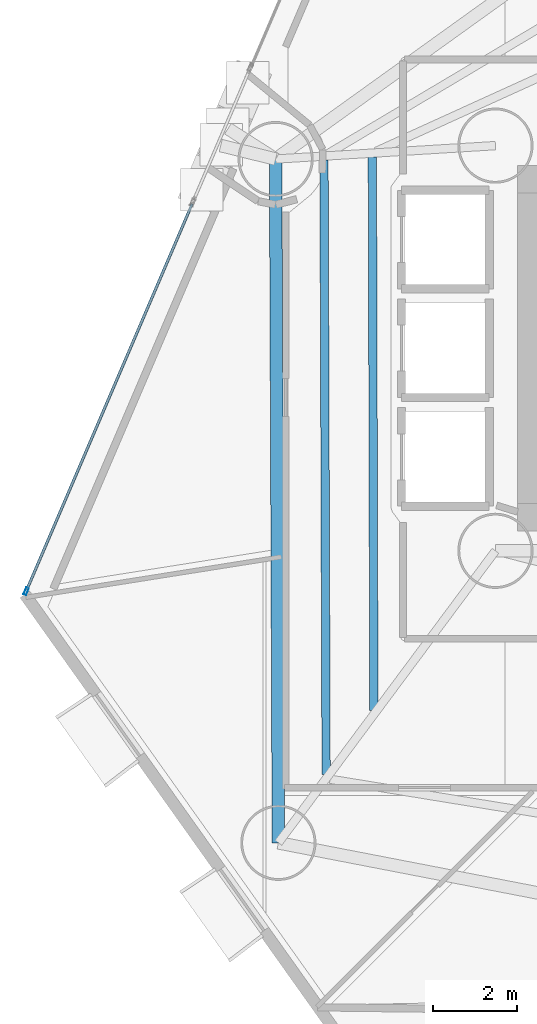
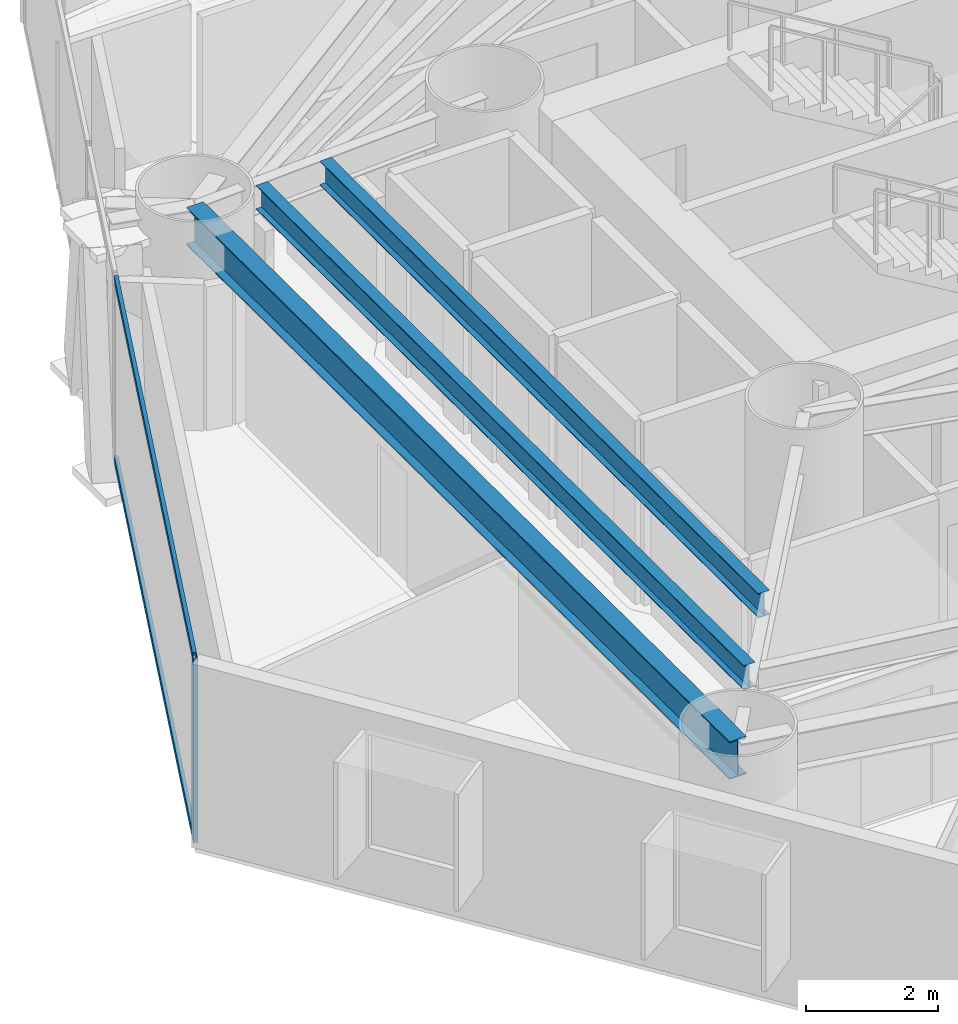
# One storey, part 4 of 22: 3 beams, 3 members, 1 element without a shape of its own.
"""IFC4 building model written with IfcOpenShell, lengths in metres."""

import ifcopenshell
import ifcopenshell.guid

model = None  # the IFC model being written
_history = None  # IfcOwnerHistory: only IFC2X3 demands one
_inside = {}  # id of a spatial element -> (the spatial element, [elements in it])
_under = {}  # id of a project, library or spatial element -> (it, [spatial elements below it])
_declared = {}  # id of a project -> (the project, [libraries it declares])
_typed = {}  # id of a type object -> (the type object, [elements of that type])
_made_of = {}  # id of a material, layer set ... -> (it, [elements and type objects made of it])


def new_model(schema):
    """Start an empty IFC model of exactly this schema.

    Asked for "IFC4X3", IfcOpenShell would pick the latest addendum, in which some entities
    have other attributes; the version numbers below select the first issue.
    IFC2X3 requires an IfcOwnerHistory on every rooted entity: one is made here for all.
    """
    global model, _history
    if schema == "IFC4X3":
        model = ifcopenshell.file(schema_version=(4, 3, 0, 0))
    else:
        model = ifcopenshell.file(schema=schema)
    _inside.clear()
    _under.clear()
    _declared.clear()
    _typed.clear()
    _made_of.clear()
    _history = None
    if model.schema == "IFC2X3":
        org = make("IfcOrganization", Name="unknown")
        user = make(
            "IfcPersonAndOrganization",
            ThePerson=make("IfcPerson", FamilyName="unknown"),
            TheOrganization=org,
        )
        app = make(
            "IfcApplication",
            ApplicationDeveloper=org,
            Version="unknown",
            ApplicationFullName="unknown",
            ApplicationIdentifier="unknown",
        )
        _history = make(
            "IfcOwnerHistory",
            OwningUser=user,
            OwningApplication=app,
            ChangeAction="ADDED",
            CreationDate=0,
        )
    return model


def make(cls, **values):
    """One entity of the class cls with the attributes given. An attribute that is None is left unset."""
    return model.create_entity(
        cls, **{name: value for name, value in values.items() if value is not None}
    )


def rooted(cls, **values):
    """An entity with a GlobalId (a new one), such as an element, a storey or a relation."""
    return make(cls, GlobalId=ifcopenshell.guid.new(), OwnerHistory=_history, **values)


def si_unit(unit_type, name, prefix=None):
    """IfcSIUnit, for example si_unit("LENGTHUNIT", "METRE", prefix="MILLI")."""
    return make("IfcSIUnit", UnitType=unit_type, Prefix=prefix, Name=name)


def assignment(units):
    """IfcUnitAssignment: the units of a project."""
    return None if units is None else make("IfcUnitAssignment", Units=units)


def point(xyz):
    """IfcCartesianPoint."""
    return None if xyz is None else make("IfcCartesianPoint", Coordinates=xyz)


def direction(xyz):
    """IfcDirection."""
    return None if xyz is None else make("IfcDirection", DirectionRatios=xyz)


def frame(location, z_axis=None, x_axis=None):
    """IfcAxis2Placement3D, a coordinate frame: its origin and axes. An axis left out is left unset."""
    return make(
        "IfcAxis2Placement3D",
        Location=point(location),
        Axis=direction(z_axis),
        RefDirection=direction(x_axis),
    )


def frame_2d(location, x_axis=None):
    """IfcAxis2Placement2D, a coordinate frame in the plane: its origin and x axis."""
    return make(
        "IfcAxis2Placement2D", Location=point(location), RefDirection=direction(x_axis)
    )


def origin():
    """The frame at (0, 0, 0) with its axes left unset."""
    return frame((0.0, 0.0, 0.0))


def origin_2d():
    """The frame at (0, 0) in the plane with its x axis left unset."""
    return frame_2d((0.0, 0.0))


def place(relative_to, where):
    """IfcLocalPlacement: puts the frame where relative to a parent placement (None: the world)."""
    return make(
        "IfcLocalPlacement", PlacementRelTo=relative_to, RelativePlacement=where
    )


def context(
    kind, dimensions, precision=None, world=None, true_north=None, identifier=None
):
    """IfcGeometricRepresentationContext, for example the 3D "Model" context."""
    return make(
        "IfcGeometricRepresentationContext",
        ContextIdentifier=identifier,
        ContextType=kind,
        CoordinateSpaceDimension=dimensions,
        Precision=precision,
        WorldCoordinateSystem=world,
        TrueNorth=true_north,
    )


def subcontext(parent, identifier, kind, view, scale=None):
    """IfcGeometricRepresentationSubContext, for example "Body" below "Model"."""
    return make(
        "IfcGeometricRepresentationSubContext",
        ContextIdentifier=identifier,
        ContextType=kind,
        ParentContext=parent,
        TargetScale=scale,
        TargetView=view,
    )


def project(units=None, contexts=None):
    """IfcProject with its units and contexts."""
    return rooted(
        "IfcProject",
        Name="project",
        RepresentationContexts=contexts,
        UnitsInContext=assignment(units),
    )


def spatial(cls, under=None, at=None, **own):
    """A site, building, storey or space (cls), placed at a placement, below another one or the project."""
    s = rooted(cls, ObjectPlacement=at, **own)
    if under is not None:
        _under.setdefault(under.id(), (under, []))[1].append(s)
    return s


def profile(cls, at=None, kind="AREA", **sizes):
    """A parametric profile (cls). Its sizes go by their IFC names, for example OverallWidth=200.0."""
    return make(cls, ProfileType=kind, Position=at, **sizes)


def hollow_rectangle(**sizes):
    """IfcRectangleHollowProfileDef."""
    return profile("IfcRectangleHollowProfileDef", **sizes)


def i_section(**sizes):
    """IfcIShapeProfileDef."""
    return profile("IfcIShapeProfileDef", **sizes)


def extrude(swept, where, along, depth):
    """IfcExtrudedAreaSolid: the profile swept, set in the frame where, extruded along a direction by depth."""
    return make(
        "IfcExtrudedAreaSolid",
        SweptArea=swept,
        Position=where,
        ExtrudedDirection=direction(along),
        Depth=depth,
    )


def shape(context_of_items, identifier, shape_type, items):
    """IfcShapeRepresentation: the items that make up one representation, for example the "Body"."""
    return make(
        "IfcShapeRepresentation",
        ContextOfItems=context_of_items,
        RepresentationIdentifier=identifier,
        RepresentationType=shape_type,
        Items=items,
    )


def material(Name=None, Category=None):
    """IfcMaterial."""
    return make("IfcMaterial", Name=Name, Category=Category)


def layer(
    of_material, thickness, ventilated=None, Name=None, Category=None, Priority=None
):
    """IfcMaterialLayer: one layer of a wall or slab, of a material (None: an air gap)."""
    return make(
        "IfcMaterialLayer",
        Material=of_material,
        LayerThickness=thickness,
        IsVentilated=ventilated,
        Name=Name,
        Category=Category,
        Priority=Priority,
    )


def layer_set(layers, Name=None):
    """IfcMaterialLayerSet."""
    return make("IfcMaterialLayerSet", MaterialLayers=layers, LayerSetName=Name)


def material_profile(
    of_material, cross_section, Name=None, Category=None, Priority=None
):
    """IfcMaterialProfile: a cross section and its material."""
    return make(
        "IfcMaterialProfile",
        Name=Name,
        Material=of_material,
        Profile=cross_section,
        Priority=Priority,
        Category=Category,
    )


def profile_set(profiles, Name=None, composite=None):
    """IfcMaterialProfileSet."""
    return make(
        "IfcMaterialProfileSet",
        Name=Name,
        MaterialProfiles=profiles,
        CompositeProfile=composite,
    )


def made_of(thing, what):
    """Note that an element or type object is made of a material, layer set ...; save() writes the relation."""
    if what is not None:
        _made_of.setdefault(what.id(), (what, []))[1].append(thing)
    return thing


def type_object(cls, material=None, **own):
    """A type object (cls), such as IfcWallType, which elements share."""
    return made_of(rooted(cls, **own), material)


def element(
    cls,
    number,
    at=None,
    inside=None,
    cuts=None,
    type_object=None,
    material=None,
    context=None,
    identifier="Body",
    shape_type=None,
    held_by="IfcProductDefinitionShape",
    body=None,
    shapes=None,
    **own,
):
    """One element of the class cls, such as IfcWall. Its Tag is "e" and its number.

    at: its placement. inside: the storey or other place that contains it. cuts: it is an
    opening in that element (IfcRelVoidsElement). A single representation is given by context,
    identifier, shape_type and body (its items); several are given by shapes. held_by: the class
    of the entity that holds the representations. save() writes the other relations.
    """
    e = rooted(cls, Tag="e%d" % number, ObjectPlacement=at, **own)
    if body is not None:
        shapes = [shape(context, identifier, shape_type, body)]
    if shapes is not None:
        e.Representation = make(held_by, Representations=shapes)
    if inside is not None:
        _inside.setdefault(inside.id(), (inside, []))[1].append(e)
    if cuts is not None:
        rooted(
            "IfcRelVoidsElement", RelatingBuildingElement=cuts, RelatedOpeningElement=e
        )
    if type_object is not None:
        _typed.setdefault(type_object.id(), (type_object, []))[1].append(e)
    return made_of(e, material)


def aggregate(whole, parts):
    """IfcRelAggregates: a whole, such as a stair, and the parts it consists of."""
    return rooted("IfcRelAggregates", RelatingObject=whole, RelatedObjects=parts)


def save(model, path):
    """Write the relations noted so far, then the file.

    IfcRelAggregates (storeys below a building ...), IfcRelContainedInSpatialStructure (elements
    in a storey), IfcRelDefinesByType, IfcRelAssociatesMaterial and IfcRelDeclares: one each for
    every whole, place, type object, material and project.
    """
    for whole, parts in _under.values():
        aggregate(whole, parts)
    for where, things in _inside.values():
        rooted(
            "IfcRelContainedInSpatialStructure",
            RelatedElements=things,
            RelatingStructure=where,
        )
    for kind, things in _typed.values():
        rooted("IfcRelDefinesByType", RelatedObjects=things, RelatingType=kind)
    for what, things in _made_of.values():
        rooted("IfcRelAssociatesMaterial", RelatedObjects=things, RelatingMaterial=what)
    for by, libraries in _declared.values():
        rooted("IfcRelDeclares", RelatingContext=by, RelatedDefinitions=libraries)
    model.write(path)


model = new_model("IFC4")

# Units and contexts
model_context = context("Model", 3, precision=1e-05, world=origin(), true_north=direction((0.0, 1.0)))
body_context = subcontext(model_context, "Body", "Model", "MODEL_VIEW")
ifc_project = project(units=[si_unit("LENGTHUNIT", "METRE"), si_unit("AREAUNIT", "SQUARE_METRE"), si_unit("VOLUMEUNIT", "CUBIC_METRE"), si_unit("PLANEANGLEUNIT", "RADIAN"), si_unit("MASSUNIT", "GRAM", prefix="KILO")], contexts=[model_context])

# Site, building, storey
site_placement = place(None, origin())
site = spatial("IfcSite", under=ifc_project, at=site_placement, CompositionType="ELEMENT")
building_placement = place(site_placement, origin())
building = spatial("IfcBuilding", under=site, at=building_placement, Name="Qianvela Tower", CompositionType="ELEMENT")
storey_placement = place(building_placement, frame((0.0, 0.0, 44.199951171875)))
storey = spatial("IfcBuildingStorey", under=building, at=storey_placement, Name="L10", CompositionType="ELEMENT", Elevation=44.199951171875)

# Beams
ifc_material_1 = material(Name="Steel Q355B", Category="steel")
ifc_material_profile_1 = material_profile(ifc_material_1, i_section(OverallWidth=0.199951171875, OverallDepth=0.449951171875, WebThickness=0.009033203125, FlangeThickness=0.013916015625, at=origin_2d()), Name="HN450x200x9x14")
ifc_profile_set_1 = profile_set([ifc_material_profile_1], Name="Steel Q355B")
beam_type_1 = type_object("IfcBeamType", Name="BM-HN450-JOIST", PredefinedType="JOIST", material=ifc_profile_set_1)
beam_1_placement = place(storey_placement, frame((25.653564453125, 33.273681640625, 3.173095703125), z_axis=(0.002747039783, -0.999996226879, 0.0), x_axis=(0.999996226879, 0.002747039783, 0.0)))
element("IfcBeam", 1, at=beam_1_placement, inside=storey, type_object=beam_type_1, Name="L10 Secondary Composite Floor Joist 4.2", PredefinedType="JOIST", context=body_context, shape_type="SweptSolid", body=[
    extrude(i_section(OverallWidth=0.199951171875, OverallDepth=0.449951171875, WebThickness=0.009033203125, FlangeThickness=0.013916015625, at=origin_2d()), origin(), (0.0, 0.0, 1.0), 13.2421875),
])
beam_2_placement = place(storey_placement, frame((24.49609375, 33.202880859375, 3.173095703125), z_axis=(0.003452376186, -0.999994040532, 0.0), x_axis=(0.999994040532, 0.003452376186, 0.0)))
element("IfcBeam", 2, at=beam_2_placement, inside=storey, type_object=beam_type_1, Name="L10 Secondary Composite Floor Joist 4.3", PredefinedType="JOIST", context=body_context, shape_type="SweptSolid", body=[
    extrude(i_section(OverallWidth=0.199951171875, OverallDepth=0.449951171875, WebThickness=0.009033203125, FlangeThickness=0.013916015625, at=origin_2d()), origin(), (0.0, 0.0, 1.0), 14.708984375),
])
ifc_material_2 = material(Name="Steel Q355B", Category="steel")
ifc_material_profile_2 = material_profile(ifc_material_2, i_section(OverallWidth=0.300048828125, OverallDepth=0.699951171875, WebThickness=0.012939453125, FlangeThickness=0.02392578125, at=origin_2d()), Name="HN700x300x13x24")
ifc_profile_set_2 = profile_set([ifc_material_profile_2], Name="Steel Q355B")
beam_type_2 = type_object("IfcBeamType", Name="BM-HN700-SPAND", PredefinedType="SPANDREL", material=ifc_profile_set_2)
beam_3_placement = place(storey_placement, frame((23.337890625, 33.22802734375, 3.048095703125), z_axis=(0.004042148861, -0.999991830483, 0.0), x_axis=(0.999991830483, 0.004042148861, 0.0)))
element("IfcBeam", 3, at=beam_3_placement, inside=storey, type_object=beam_type_2, Name="L10 Perimeter Ring Spandrel Girder 4", PredefinedType="SPANDREL", context=body_context, shape_type="SweptSolid", body=[
    extrude(i_section(OverallWidth=0.300048828125, OverallDepth=0.699951171875, WebThickness=0.012939453125, FlangeThickness=0.02392578125, at=origin_2d()), origin(), (0.0, 0.0, 1.0), 16.3681640625),
])

# Curtain wall, members
ifc_material_3 = material(Name="Anodised Architectural Aluminium and Low-E Glass", Category="aluminium")
ifc_layer = layer(ifc_material_3, 0.179931640625)
ifc_layer_set = layer_set([ifc_layer], Name="Anodised Architectural Aluminium and Low-E Glass")
curtain_wall_type = type_object("IfcCurtainWallType", Name="CW-COLIV-Z12", PredefinedType="USERDEFINED", material=ifc_layer_set)
curtain_wall_placement = place(storey_placement, origin())
curtain_wall = element("IfcCurtainWall", 4, at=curtain_wall_placement, inside=storey, type_object=curtain_wall_type, Name="L10 CW-COLIV-Z12 Curtain Wall 04C", ObjectType="CURTAIN_WALL_SYSTEM", PredefinedType="USERDEFINED")
ifc_material_4 = material(Name="Anodised Architectural Aluminium 6063-T6", Category="aluminium")
ifc_material_profile_3 = material_profile(ifc_material_4, hollow_rectangle(XDim=0.070068359375, YDim=0.179931640625, WallThickness=0.0048828125, at=origin_2d()), Name="ALU-MULL-70x180")
ifc_profile_set_3 = profile_set([ifc_material_profile_3], Name="Anodised Architectural Aluminium 6063-T6")
member_type_1 = type_object("IfcMemberType", Name="CW-COLIV-Z12-MULL", PredefinedType="MULLION", material=ifc_profile_set_3)
member_1_placement = place(storey_placement, frame((17.366455078125, 22.884765625, 0.0), z_axis=(0.0, 0.0, 1.0), x_axis=(0.919135892443, -0.393940618904, 0.0)))
member_1 = element("IfcMember", 5, at=member_1_placement, type_object=member_type_1, Name="CW-3 mullion 2", PredefinedType="MULLION", context=body_context, shape_type="SweptSolid", body=[
    extrude(hollow_rectangle(XDim=0.070068359375, YDim=0.179931640625, WallThickness=0.0048828125, at=origin_2d()), origin(), (0.0, 0.0, 1.0), 3.400146484375),
])
ifc_material_5 = material(Name="Anodised Architectural Aluminium 6063-T6", Category="aluminium")
ifc_material_profile_4 = material_profile(ifc_material_5, hollow_rectangle(XDim=0.06494140625, YDim=0.1298828125, WallThickness=0.00439453125, at=origin_2d()), Name="ALU-TRAN-65x130")
ifc_profile_set_4 = profile_set([ifc_material_profile_4], Name="Anodised Architectural Aluminium 6063-T6")
member_type_2 = type_object("IfcMemberType", Name="CW-COLIV-Z12-TRAN", PredefinedType="USERDEFINED", material=ifc_profile_set_4)
member_2_placement = place(storey_placement, frame((21.339111328125, 32.15380859375, 0.032470703125), z_axis=(-0.393928094684, -0.919141260209, 0.0), x_axis=(0.919141260209, -0.393928094684, 0.0)))
member_2 = element("IfcMember", 6, at=member_2_placement, type_object=member_type_2, Name="CW-3 transom 1.1", ObjectType="TRANSOM", PredefinedType="USERDEFINED", context=body_context, shape_type="SweptSolid", body=[
    extrude(hollow_rectangle(XDim=0.06494140625, YDim=0.1298828125, WallThickness=0.00439453125, at=origin_2d()), origin(), (0.0, 0.0, 1.0), 10.04931640625),
])
member_3_placement = place(storey_placement, frame((21.339111328125, 32.15380859375, 3.367431640625), z_axis=(-0.393928094684, -0.919141260209, 0.0), x_axis=(0.919141260209, -0.393928094684, 0.0)))
member_3 = element("IfcMember", 7, at=member_3_placement, type_object=member_type_2, Name="CW-3 transom 1.2", ObjectType="TRANSOM", PredefinedType="USERDEFINED", context=body_context, shape_type="SweptSolid", body=[
    extrude(hollow_rectangle(XDim=0.06494140625, YDim=0.1298828125, WallThickness=0.00439453125, at=origin_2d()), origin(), (0.0, 0.0, 1.0), 10.04931640625),
])
aggregate(curtain_wall, [member_1, member_2, member_3])

save(model, "model.ifc")
